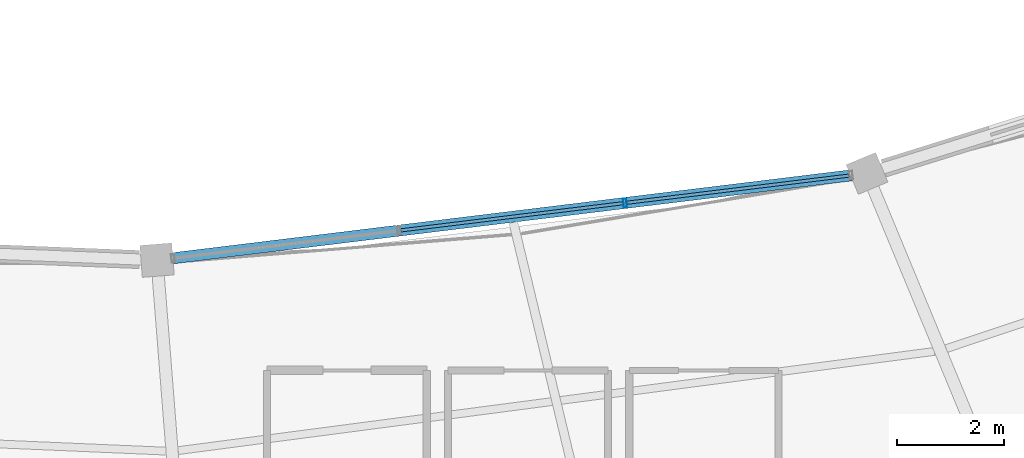
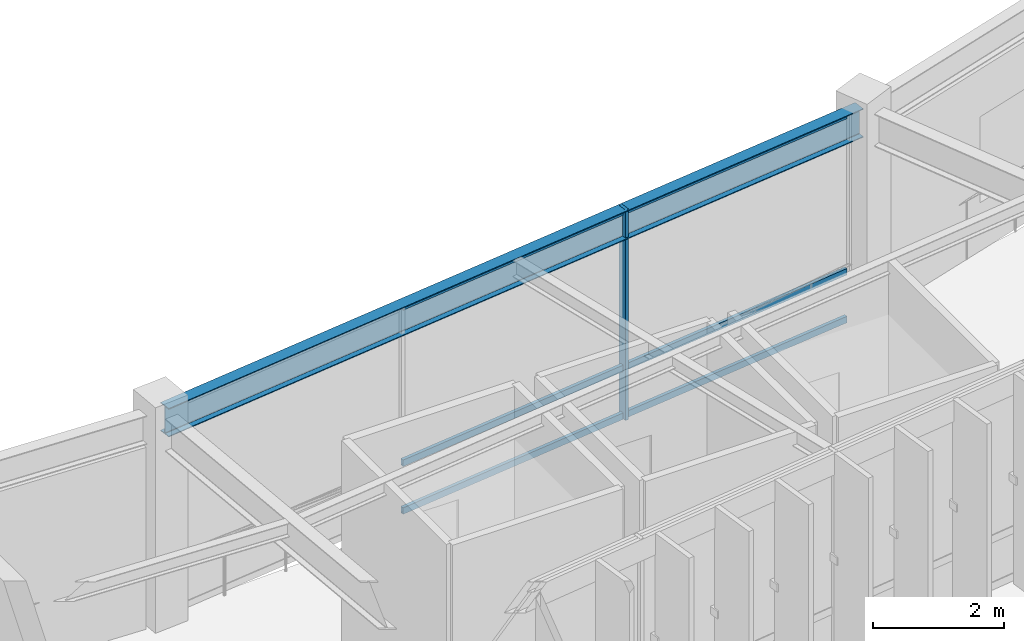
# One storey, part 49 of 114: 7 members, 1 beam, 1 element without a shape of its own.
"""IFC4 building model written with IfcOpenShell, lengths in metres."""

from ifc_helpers import new_model, si_unit, direction, frame, origin, origin_2d, place, context, subcontext, project, spatial, hollow_rectangle, i_section, extrude, material, material_profile, profile_set, type_object, element, aggregate, save


model = new_model("IFC4")

# Units and contexts
model_context = context("Model", 3, precision=1e-05, world=origin(), true_north=direction((0.0, 1.0)))
body_context = subcontext(model_context, "Body", "Model", "MODEL_VIEW")
ifc_project = project(units=[si_unit("LENGTHUNIT", "METRE"), si_unit("AREAUNIT", "SQUARE_METRE"), si_unit("VOLUMEUNIT", "CUBIC_METRE"), si_unit("PLANEANGLEUNIT", "RADIAN"), si_unit("MASSUNIT", "GRAM", prefix="KILO"), si_unit("THERMODYNAMICTEMPERATUREUNIT", "KELVIN"), si_unit("POWERUNIT", "WATT")], contexts=[model_context])

# Site, building, storey
site_placement = place(None, origin())
site = spatial("IfcSite", under=ifc_project, at=site_placement, CompositionType="ELEMENT")
building_placement = place(site_placement, origin())
building = spatial("IfcBuilding", under=site, at=building_placement, Name="Darbajah Civic Hall", CompositionType="ELEMENT")
storey_placement = place(building_placement, frame((0.0, 0.0, 13.800048828125)))
storey = spatial("IfcBuildingStorey", under=building, at=storey_placement, Name="L03", CompositionType="ELEMENT", Elevation=13.800048828125)

# Curtain wall, members
ifc_material_1 = material(Name="Anodised Bronze Aluminium and Low-E Glazing", Category="aluminium")
curtain_wall_type = type_object("IfcCurtainWallType", Name="Unitised Curtain Wall CW-50 12800x3900", PredefinedType="USERDEFINED", material=ifc_material_1)
curtain_wall_placement = place(storey_placement, origin())
curtain_wall = element("IfcCurtainWall", 1, at=curtain_wall_placement, inside=storey, type_object=curtain_wall_type, Name="L03 unitised curtain wall CW-V1I-L03-15", ObjectType="UNITISED CURTAIN WALL", PredefinedType="USERDEFINED")
ifc_material_2 = material(Name="Anodised Bronze Aluminium", Category="aluminium")
ifc_material_profile_1 = material_profile(ifc_material_2, hollow_rectangle(XDim=0.06005859375, YDim=0.159912109375, WallThickness=0.00341796875, at=origin_2d()), Name="ALU MULLION 60x160")
ifc_profile_set_1 = profile_set([ifc_material_profile_1], Name="Anodised Bronze Aluminium")
member_type_1 = type_object("IfcMemberType", Name="ALU MULLION 60x160", PredefinedType="MULLION", material=ifc_profile_set_1)
member_1_placement = place(storey_placement, frame((101.31982421875, 68.642333984375, 0.0), z_axis=(0.0, 0.0, 1.0), x_axis=(0.992609826221, 0.121349630774, 0.0)))
member_1 = element("IfcMember", 2, at=member_1_placement, type_object=member_type_1, Name="CW-V1I-L03-15 mullion 3", PredefinedType="MULLION", context=body_context, shape_type="SweptSolid", body=[
    extrude(hollow_rectangle(XDim=0.06005859375, YDim=0.159912109375, WallThickness=0.00341796875, at=origin_2d()), origin(), (0.0, 0.0, 1.0), 3.919921875),
])
ifc_material_profile_2 = material_profile(ifc_material_2, hollow_rectangle(XDim=0.06005859375, YDim=0.1201171875, WallThickness=0.003173828125, at=origin_2d()), Name="ALU TRANSOM 60x120")
ifc_profile_set_2 = profile_set([ifc_material_profile_2], Name="Anodised Bronze Aluminium")
member_type_2 = type_object("IfcMemberType", Name="ALU TRANSOM 60x120", PredefinedType="USERDEFINED", material=ifc_profile_set_2)
member_2_placement = place(storey_placement, frame((97.11279296875, 68.128173828125, 0.06005859375), z_axis=(0.992611963514, 0.121332146974, 0.0), x_axis=(-0.121332146974, 0.992611963514, 0.0)))
member_2 = element("IfcMember", 3, at=member_2_placement, type_object=member_type_2, Name="CW-V1I-L03-15 transom 2.1", ObjectType="TRANSOM", PredefinedType="USERDEFINED", context=body_context, shape_type="SweptSolid", body=[
    extrude(hollow_rectangle(XDim=0.06005859375, YDim=0.1201171875, WallThickness=0.003173828125, at=origin_2d()), origin(), (0.0, 0.0, 1.0), 4.203369140625),
])
member_3_placement = place(storey_placement, frame((97.11279296875, 68.128173828125, 0.949951171875), z_axis=(0.992611963514, 0.121332146974, 0.0), x_axis=(-0.121332146974, 0.992611963514, 0.0)))
member_3 = element("IfcMember", 4, at=member_3_placement, type_object=member_type_2, Name="CW-V1I-L03-15 transom 2.2", ObjectType="TRANSOM", PredefinedType="USERDEFINED", context=body_context, shape_type="SweptSolid", body=[
    extrude(hollow_rectangle(XDim=0.06005859375, YDim=0.1201171875, WallThickness=0.003173828125, at=origin_2d()), origin(), (0.0, 0.0, 1.0), 4.203369140625),
])
member_4_placement = place(storey_placement, frame((97.11279296875, 68.128173828125, 3.85986328125), z_axis=(0.992611963514, 0.121332146974, 0.0), x_axis=(-0.121332146974, 0.992611963514, 0.0)))
member_4 = element("IfcMember", 5, at=member_4_placement, type_object=member_type_2, Name="CW-V1I-L03-15 transom 2.3", ObjectType="TRANSOM", PredefinedType="USERDEFINED", context=body_context, shape_type="SweptSolid", body=[
    extrude(hollow_rectangle(XDim=0.06005859375, YDim=0.1201171875, WallThickness=0.003173828125, at=origin_2d()), origin(), (0.0, 0.0, 1.0), 4.203369140625),
])
member_5_placement = place(storey_placement, frame((101.3544921875, 68.646484375, 0.06005859375), z_axis=(0.992605822603, 0.12138237489, 0.0), x_axis=(-0.12138237489, 0.992605822603, 0.0)))
member_5 = element("IfcMember", 6, at=member_5_placement, type_object=member_type_2, Name="CW-V1I-L03-15 transom 3.1", ObjectType="TRANSOM", PredefinedType="USERDEFINED", context=body_context, shape_type="SweptSolid", body=[
    extrude(hollow_rectangle(XDim=0.06005859375, YDim=0.1201171875, WallThickness=0.003173828125, at=origin_2d()), origin(), (0.0, 0.0, 1.0), 4.20361328125),
])
member_6_placement = place(storey_placement, frame((101.3544921875, 68.646484375, 0.949951171875), z_axis=(0.992605822603, 0.12138237489, 0.0), x_axis=(-0.12138237489, 0.992605822603, 0.0)))
member_6 = element("IfcMember", 7, at=member_6_placement, type_object=member_type_2, Name="CW-V1I-L03-15 transom 3.2", ObjectType="TRANSOM", PredefinedType="USERDEFINED", context=body_context, shape_type="SweptSolid", body=[
    extrude(hollow_rectangle(XDim=0.06005859375, YDim=0.1201171875, WallThickness=0.003173828125, at=origin_2d()), origin(), (0.0, 0.0, 1.0), 4.20361328125),
])
member_7_placement = place(storey_placement, frame((101.3544921875, 68.646484375, 3.85986328125), z_axis=(0.992605822603, 0.12138237489, 0.0), x_axis=(-0.12138237489, 0.992605822603, 0.0)))
member_7 = element("IfcMember", 8, at=member_7_placement, type_object=member_type_2, Name="CW-V1I-L03-15 transom 3.3", ObjectType="TRANSOM", PredefinedType="USERDEFINED", context=body_context, shape_type="SweptSolid", body=[
    extrude(hollow_rectangle(XDim=0.06005859375, YDim=0.1201171875, WallThickness=0.003173828125, at=origin_2d()), origin(), (0.0, 0.0, 1.0), 4.20361328125),
])
aggregate(curtain_wall, [member_1, member_2, member_3, member_4, member_5, member_6, member_7])

# Beam
ifc_material_3 = material(Name="Steel S355JR", Category="steel")
ifc_material_profile_3 = material_profile(ifc_material_3, i_section(OverallWidth=0.209228515625, OverallDepth=0.533203125, WebThickness=0.010009765625, FlangeThickness=0.015625, FilletRadius=0.0126953125, at=origin_2d()), Name="UB 533x210x92")
ifc_profile_set_3 = profile_set([ifc_material_profile_3], Name="Steel S355JR")
beam_type = type_object("IfcBeamType", Name="UB 533x210x92", PredefinedType="BEAM", material=ifc_profile_set_3)
beam_placement = place(storey_placement, frame((92.615966796875, 67.578369140625, 3.653564453125), z_axis=(0.992611744559, 0.121333938216, 0.0), x_axis=(-0.121333938216, 0.992611744559, 0.0)))
element("IfcBeam", 9, at=beam_placement, inside=storey, type_object=beam_type, Name="L03 beam SB-533", PredefinedType="BEAM", context=body_context, shape_type="SweptSolid", body=[
    extrude(i_section(OverallWidth=0.209228515625, OverallDepth=0.533203125, WebThickness=0.010009765625, FlangeThickness=0.015625, FilletRadius=0.0126953125, at=origin_2d()), origin(), (0.0, 0.0, 1.0), 13.263916015625),
])

save(model, "model.ifc")
